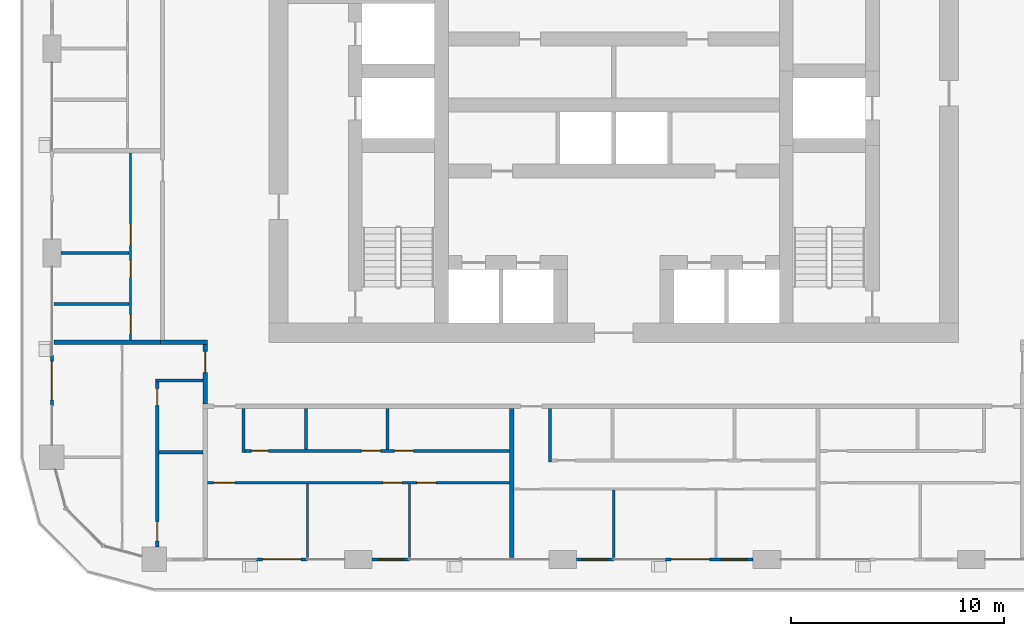
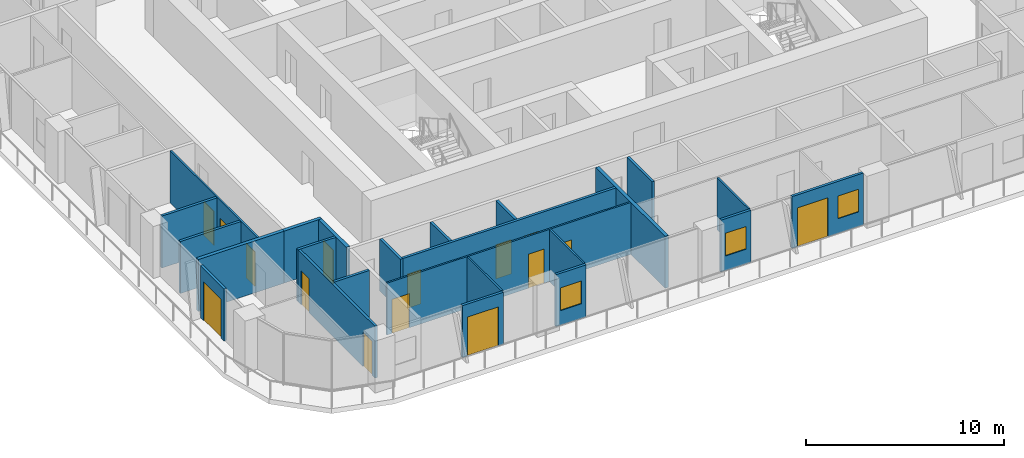
# One storey, part 9 of 21: 24 walls, 15 doors, 3 windows, 18 openings.
"""IFC4 building model written with IfcOpenShell, lengths in metres."""

from ifc_helpers import new_model, si_unit, direction, frame, frame_2d, origin, place, context, subcontext, project, spatial, rectangle, extrude, material, layer, layer_set, type_object, element, fill, save


model = new_model("IFC4")

# Units and contexts
model_context = context("Model", 3, precision=1e-05, world=origin(), true_north=direction((0.0, 1.0)))
body_context = subcontext(model_context, "Body", "Model", "MODEL_VIEW")
ifc_project = project(units=[si_unit("LENGTHUNIT", "METRE"), si_unit("AREAUNIT", "SQUARE_METRE"), si_unit("VOLUMEUNIT", "CUBIC_METRE"), si_unit("PLANEANGLEUNIT", "RADIAN"), si_unit("MASSUNIT", "GRAM", prefix="KILO")], contexts=[model_context])

# Site, building, storey
site_placement = place(None, origin())
site = spatial("IfcSite", under=ifc_project, at=site_placement, CompositionType="ELEMENT")
building_placement = place(site_placement, origin())
building = spatial("IfcBuilding", under=site, at=building_placement, Name="Madar Terraces", CompositionType="ELEMENT")
storey_placement = place(building_placement, frame((0.0, 0.0, 106.699951171875)))
storey = spatial("IfcBuildingStorey", under=building, at=storey_placement, Name="L27", CompositionType="ELEMENT", Elevation=106.699951171875)

# Wall, opening, door
ifc_material_1 = material(Name="Aluminium composite panel, black, over insulated backing", Category="aluminium")
ifc_layer_1 = layer(ifc_material_1, 0.14990234375)
ifc_layer_set_1 = layer_set([ifc_layer_1], Name="Facade bay panel 150")
wall_type_1 = type_object("IfcWallType", Name="Facade bay panel 150", PredefinedType="SOLIDWALL", material=ifc_layer_set_1)
wall_1_placement = place(storey_placement, frame((14.39990234375, 4.800048828125, 0.0), z_axis=(0.0, 0.0, 1.0), x_axis=(1.0, 0.0, 0.0)))
wall_1 = element("IfcWall", 1, at=wall_1_placement, inside=storey, type_object=wall_type_1, Name="Facade bay panel", PredefinedType="SOLIDWALL", context=body_context, shape_type="SweptSolid", body=[
    extrude(rectangle(XDim=2.400146484375, YDim=0.14990234375, at=frame_2d((1.2001953125, 0.0))), origin(), (0.0, 0.0, 1.0), 3.199951171875),
])
opening_1_placement = place(wall_1_placement, frame((0.300048828125, 0.0, 0.0)))
opening_1 = element("IfcOpeningElement", 2, at=opening_1_placement, cuts=wall_1, Name="Opening ED1", PredefinedType="OPENING", context=body_context, shape_type="SweptSolid", body=[
    extrude(rectangle(XDim=1.800048828125, YDim=2.39990234375, at=frame_2d((0.89990234375, 1.199951171875))), frame((0.0, 0.0849609375, 0.0), z_axis=(0.0, -1.0, 0.0), x_axis=(1.0, 0.0, 0.0)), (0.0, 0.0, 1.0), 0.169921875),
])
ifc_material_2 = material(Name="Glass, clear, with black aluminium frame", Category="aluminium")
door_type_1 = type_object("IfcDoorType", Name="Balcony and terrace sliding door 1800 x 2400", OperationType="SLIDING_TO_LEFT", PredefinedType="DOOR", material=ifc_material_2)
door_1_placement = place(opening_1_placement, origin())
door_1 = element("IfcDoor", 3, at=door_1_placement, inside=storey, type_object=door_type_1, Name="Balcony door", OperationType="SLIDING_TO_LEFT", OverallHeight=2.39990234375, OverallWidth=1.800048828125, PredefinedType="DOOR", context=body_context, shape_type="SweptSolid", body=[
    extrude(rectangle(XDim=1.800048828125, YDim=2.39990234375, at=frame_2d((0.89990234375, 1.199951171875))), frame((0.0, 0.02490234375, 0.0), z_axis=(0.0, -1.0, 0.0), x_axis=(1.0, 0.0, 0.0)), (0.0, 0.0, 1.0), 0.050048828125),
])
fill(opening_1, door_1)

# Wall, opening, window
wall_2_placement = place(storey_placement, frame((19.85009765625, 4.800048828125, 0.0), z_axis=(0.0, 0.0, 1.0), x_axis=(1.0, 0.0, 0.0)))
wall_2 = element("IfcWall", 4, at=wall_2_placement, inside=storey, type_object=wall_type_1, Name="Facade bay panel", PredefinedType="SOLIDWALL", context=body_context, shape_type="SweptSolid", body=[
    extrude(rectangle(XDim=1.75, YDim=0.14990234375, at=frame_2d((0.875, 0.0))), origin(), (0.0, 0.0, 1.0), 3.199951171875),
])
opening_2_placement = place(wall_2_placement, frame((0.27490234375, 0.0, 0.89990234375)))
opening_2 = element("IfcOpeningElement", 5, at=opening_2_placement, cuts=wall_2, Name="Opening W1", PredefinedType="OPENING", context=body_context, shape_type="SweptSolid", body=[
    extrude(rectangle(XDim=1.199951171875, YDim=1.39990234375, at=frame_2d((0.60009765625, 0.699951171875))), frame((0.0, 0.0849609375, 0.0), z_axis=(0.0, -1.0, 0.0), x_axis=(1.0, 0.0, 0.0)), (0.0, 0.0, 1.0), 0.169921875),
])
ifc_material_3 = material(Name="Glass, clear, with black aluminium frame", Category="aluminium")
window_type = type_object("IfcWindowType", Name="Vent window 1200 x 1400", PartitioningType="SINGLE_PANEL", PredefinedType="WINDOW", material=ifc_material_3)
window_1_placement = place(opening_2_placement, origin())
window_1 = element("IfcWindow", 6, at=window_1_placement, inside=storey, type_object=window_type, Name="Operable vent window", OverallHeight=1.39990234375, OverallWidth=1.199951171875, PartitioningType="SINGLE_PANEL", PredefinedType="WINDOW", context=body_context, shape_type="SweptSolid", body=[
    extrude(rectangle(XDim=1.199951171875, YDim=1.39990234375, at=frame_2d((0.60009765625, 0.699951171875))), frame((0.0, 0.030029296875, 0.0), z_axis=(0.0, -1.0, 0.0), x_axis=(1.0, 0.0, 0.0)), (0.0, 0.0, 1.0), 0.06005859375),
])
fill(opening_2, window_1)

wall_3_placement = place(storey_placement, frame((29.449951171875, 4.800048828125, 0.0), z_axis=(0.0, 0.0, 1.0), x_axis=(1.0, 0.0, 0.0)))
wall_3 = element("IfcWall", 7, at=wall_3_placement, inside=storey, type_object=wall_type_1, Name="Facade bay panel", PredefinedType="SOLIDWALL", context=body_context, shape_type="SweptSolid", body=[
    extrude(rectangle(XDim=1.75, YDim=0.14990234375, at=frame_2d((0.875, 0.0))), origin(), (0.0, 0.0, 1.0), 3.199951171875),
])
opening_3_placement = place(wall_3_placement, frame((0.27490234375, 0.0, 0.89990234375)))
opening_3 = element("IfcOpeningElement", 8, at=opening_3_placement, cuts=wall_3, Name="Opening W1", PredefinedType="OPENING", context=body_context, shape_type="SweptSolid", body=[
    extrude(rectangle(XDim=1.199951171875, YDim=1.39990234375, at=frame_2d((0.60009765625, 0.699951171875))), frame((0.0, 0.0849609375, 0.0), z_axis=(0.0, -1.0, 0.0), x_axis=(1.0, 0.0, 0.0)), (0.0, 0.0, 1.0), 0.169921875),
])
window_2_placement = place(opening_3_placement, origin())
window_2 = element("IfcWindow", 9, at=window_2_placement, inside=storey, type_object=window_type, Name="Operable vent window", OverallHeight=1.39990234375, OverallWidth=1.199951171875, PartitioningType="SINGLE_PANEL", PredefinedType="WINDOW", context=body_context, shape_type="SweptSolid", body=[
    extrude(rectangle(XDim=1.199951171875, YDim=1.39990234375, at=frame_2d((0.60009765625, 0.699951171875))), frame((0.0, 0.030029296875, 0.0), z_axis=(0.0, -1.0, 0.0), x_axis=(1.0, 0.0, 0.0)), (0.0, 0.0, 1.0), 0.06005859375),
])
fill(opening_3, window_2)

# Wall, openings, door, window
wall_4_placement = place(storey_placement, frame((33.60009765625, 4.800048828125, 0.0), z_axis=(0.0, 0.0, 1.0), x_axis=(1.0, 0.0, 0.0)))
wall_4 = element("IfcWall", 10, at=wall_4_placement, inside=storey, type_object=wall_type_1, Name="Facade bay panel", PredefinedType="SOLIDWALL", context=body_context, shape_type="SweptSolid", body=[
    extrude(rectangle(XDim=4.14990234375, YDim=0.14990234375, at=frame_2d((2.074951171875, 0.0))), origin(), (0.0, 0.0, 1.0), 3.199951171875),
])
opening_4_placement = place(wall_4_placement, frame((0.300048828125, 0.0, 0.0)))
opening_4 = element("IfcOpeningElement", 11, at=opening_4_placement, cuts=wall_4, Name="Opening ED1", PredefinedType="OPENING", context=body_context, shape_type="SweptSolid", body=[
    extrude(rectangle(XDim=1.800048828125, YDim=2.39990234375, at=frame_2d((0.89990234375, 1.199951171875))), frame((0.0, 0.0849609375, 0.0), z_axis=(0.0, -1.0, 0.0), x_axis=(1.0, 0.0, 0.0)), (0.0, 0.0, 1.0), 0.169921875),
])
opening_5_placement = place(wall_4_placement, frame((2.675048828125, 0.0, 0.89990234375)))
opening_5 = element("IfcOpeningElement", 12, at=opening_5_placement, cuts=wall_4, Name="Opening W1", PredefinedType="OPENING", context=body_context, shape_type="SweptSolid", body=[
    extrude(rectangle(XDim=1.199951171875, YDim=1.39990234375, at=frame_2d((0.60009765625, 0.699951171875))), frame((0.0, 0.0849609375, 0.0), z_axis=(0.0, -1.0, 0.0), x_axis=(1.0, 0.0, 0.0)), (0.0, 0.0, 1.0), 0.169921875),
])
door_2_placement = place(opening_4_placement, origin())
door_2 = element("IfcDoor", 13, at=door_2_placement, inside=storey, type_object=door_type_1, Name="Balcony door", OperationType="SLIDING_TO_RIGHT", OverallHeight=2.39990234375, OverallWidth=1.800048828125, PredefinedType="DOOR", context=body_context, shape_type="SweptSolid", body=[
    extrude(rectangle(XDim=1.800048828125, YDim=2.39990234375, at=frame_2d((0.89990234375, 1.199951171875))), frame((0.0, 0.02490234375, 0.0), z_axis=(0.0, -1.0, 0.0), x_axis=(1.0, 0.0, 0.0)), (0.0, 0.0, 1.0), 0.050048828125),
])
fill(opening_4, door_2)
window_3_placement = place(opening_5_placement, origin())
window_3 = element("IfcWindow", 14, at=window_3_placement, inside=storey, type_object=window_type, Name="Operable vent window", OverallHeight=1.39990234375, OverallWidth=1.199951171875, PartitioningType="SINGLE_PANEL", PredefinedType="WINDOW", context=body_context, shape_type="SweptSolid", body=[
    extrude(rectangle(XDim=1.199951171875, YDim=1.39990234375, at=frame_2d((0.60009765625, 0.699951171875))), frame((0.0, 0.030029296875, 0.0), z_axis=(0.0, -1.0, 0.0), x_axis=(1.0, 0.0, 0.0)), (0.0, 0.0, 1.0), 0.06005859375),
])
fill(opening_5, window_3)

# Wall, opening, door
wall_5_placement = place(storey_placement, frame((4.800048828125, 14.39990234375, 0.0), z_axis=(0.0, 0.0, 1.0), x_axis=(0.0, -1.0, 0.0)))
wall_5 = element("IfcWall", 15, at=wall_5_placement, inside=storey, type_object=wall_type_1, Name="Facade bay panel", PredefinedType="SOLIDWALL", context=body_context, shape_type="SweptSolid", body=[
    extrude(rectangle(XDim=2.39990234375, YDim=0.14990234375, at=frame_2d((1.199951171875, 0.0))), origin(), (0.0, 0.0, 1.0), 3.199951171875),
])
opening_6_placement = place(wall_5_placement, frame((0.300048828125, 0.0, 0.0)))
opening_6 = element("IfcOpeningElement", 16, at=opening_6_placement, cuts=wall_5, Name="Opening ED1", PredefinedType="OPENING", context=body_context, shape_type="SweptSolid", body=[
    extrude(rectangle(XDim=1.800048828125, YDim=2.39990234375, at=frame_2d((0.89990234375, 1.199951171875))), frame((0.0, 0.0849609375, 0.0), z_axis=(0.0, -1.0, 0.0), x_axis=(1.0, 0.0, 0.0)), (0.0, 0.0, 1.0), 0.169921875),
])
door_3_placement = place(opening_6_placement, origin())
door_3 = element("IfcDoor", 17, at=door_3_placement, inside=storey, type_object=door_type_1, Name="Balcony door", OperationType="SLIDING_TO_RIGHT", OverallHeight=2.39990234375, OverallWidth=1.800048828125, PredefinedType="DOOR", context=body_context, shape_type="SweptSolid", body=[
    extrude(rectangle(XDim=1.800048828125, YDim=2.39990234375, at=frame_2d((0.89990234375, 1.199951171875))), frame((0.0, 0.02490234375, 0.0), z_axis=(0.0, -1.0, 0.0), x_axis=(1.0, 0.0, 0.0)), (0.0, 0.0, 1.0), 0.050048828125),
])
fill(opening_6, door_3)

# Walls
ifc_material_4 = material(Name="Gypsum board on steel studs", Category="steel")
ifc_layer_2 = layer(ifc_material_4, 0.10009765625)
ifc_layer_set_2 = layer_set([ifc_layer_2], Name="Flat partition 100")
wall_type_2 = type_object("IfcWallType", Name="Flat partition 100", PredefinedType="PARTITIONING", material=ifc_layer_set_2)
for number, where, z_axis, x_axis, name in (
    (18, (16.800048828125, 8.35009765625, 0.0), (0.0, 0.0, 1.0), (0.0, -1.0, 0.0), "Flat partition 100"),
    (19, (21.60009765625, 8.35009765625, 0.0), (0.0, 0.0, 1.0), (0.0, -1.0, 0.0), "Flat partition 100"),
):
    element("IfcWall", number, at=place(storey_placement, frame(where, z_axis=z_axis, x_axis=x_axis)), inside=storey, type_object=wall_type_2, Name=name, PredefinedType="PARTITIONING", context=body_context, shape_type="SweptSolid", body=[
        extrude(rectangle(XDim=3.4501953125, YDim=0.10009765625, at=frame_2d((1.72509765625, 0.0))), origin(), (0.0, 0.0, 1.0), 3.199951171875),
    ])

# Wall, openings, doors
wall_6_placement = place(storey_placement, frame((26.300048828125, 8.39990234375, 0.0), z_axis=(0.0, 0.0, 1.0), x_axis=(-1.0, 0.0, 0.0)))
wall_6 = element("IfcWall", 20, at=wall_6_placement, inside=storey, type_object=wall_type_2, Name="Flat partition 100", PredefinedType="PARTITIONING", context=body_context, shape_type="SweptSolid", body=[
    extrude(rectangle(XDim=14.199951171875, YDim=0.10009765625, at=frame_2d((7.10009765625, 0.0))), origin(), (0.0, 0.0, 1.0), 3.199951171875),
])
opening_7_placement = place(wall_6_placement, frame((12.89990234375, 0.0, 0.0)))
opening_7 = element("IfcOpeningElement", 21, at=opening_7_placement, cuts=wall_6, Name="Opening D3", PredefinedType="OPENING", context=body_context, shape_type="SweptSolid", body=[
    extrude(rectangle(XDim=1.0, YDim=2.10009765625, at=frame_2d((0.5, 1.050048828125))), frame((0.0, 0.06005859375, 0.0), z_axis=(0.0, -1.0, 0.0), x_axis=(1.0, 0.0, 0.0)), (0.0, 0.0, 1.0), 0.1201171875),
])
opening_8_placement = place(wall_6_placement, frame((5.050048828125, 0.0, 0.0)))
opening_8 = element("IfcOpeningElement", 22, at=opening_8_placement, cuts=wall_6, Name="Opening D2", PredefinedType="OPENING", context=body_context, shape_type="SweptSolid", body=[
    extrude(rectangle(XDim=0.89990234375, YDim=2.10009765625, at=frame_2d((0.449951171875, 1.050048828125))), frame((0.0, 0.06005859375, 0.0), z_axis=(0.0, -1.0, 0.0), x_axis=(1.0, 0.0, 0.0)), (0.0, 0.0, 1.0), 0.1201171875),
])
opening_9_placement = place(wall_6_placement, frame((3.449951171875, 0.0, 0.0)))
opening_9 = element("IfcOpeningElement", 23, at=opening_9_placement, cuts=wall_6, Name="Opening D2", PredefinedType="OPENING", context=body_context, shape_type="SweptSolid", body=[
    extrude(rectangle(XDim=0.89990234375, YDim=2.10009765625, at=frame_2d((0.449951171875, 1.050048828125))), frame((0.0, 0.06005859375, 0.0), z_axis=(0.0, -1.0, 0.0), x_axis=(1.0, 0.0, 0.0)), (0.0, 0.0, 1.0), 0.1201171875),
])
ifc_material_5 = material(Name="Timber door leaf", Category="wood")
door_type_2 = type_object("IfcDoorType", Name="Flat living room door 1000", OperationType="NOTDEFINED", PredefinedType="DOOR", material=ifc_material_5)
door_4_placement = place(opening_7_placement, origin())
door_4 = element("IfcDoor", 24, at=door_4_placement, inside=storey, type_object=door_type_2, Name="Flat living room door 1000", OperationType="SINGLE_SWING_RIGHT", OverallHeight=2.10009765625, OverallWidth=1.0, PredefinedType="DOOR", context=body_context, shape_type="SweptSolid", body=[
    extrude(rectangle(XDim=1.0, YDim=2.10009765625, at=frame_2d((0.5, 1.050048828125))), frame((0.0, 0.02490234375, 0.0), z_axis=(0.0, -1.0, 0.0), x_axis=(1.0, 0.0, 0.0)), (0.0, 0.0, 1.0), 0.050048828125),
])
fill(opening_7, door_4)
ifc_material_6 = material(Name="Timber door leaf", Category="wood")
door_type_3 = type_object("IfcDoorType", Name="Flat room door 900", OperationType="NOTDEFINED", PredefinedType="DOOR", material=ifc_material_6)
door_5_placement = place(opening_8_placement, origin())
door_5 = element("IfcDoor", 25, at=door_5_placement, inside=storey, type_object=door_type_3, Name="Flat room door 900", OperationType="SINGLE_SWING_LEFT", OverallHeight=2.10009765625, OverallWidth=0.89990234375, PredefinedType="DOOR", context=body_context, shape_type="SweptSolid", body=[
    extrude(rectangle(XDim=0.89990234375, YDim=2.10009765625, at=frame_2d((0.449951171875, 1.050048828125))), frame((0.0, 0.02490234375, 0.0), z_axis=(0.0, -1.0, 0.0), x_axis=(1.0, 0.0, 0.0)), (0.0, 0.0, 1.0), 0.050048828125),
])
fill(opening_8, door_5)
door_6_placement = place(opening_9_placement, origin())
door_6 = element("IfcDoor", 26, at=door_6_placement, inside=storey, type_object=door_type_3, Name="Flat room door 900", OperationType="SINGLE_SWING_RIGHT", OverallHeight=2.10009765625, OverallWidth=0.89990234375, PredefinedType="DOOR", context=body_context, shape_type="SweptSolid", body=[
    extrude(rectangle(XDim=0.89990234375, YDim=2.10009765625, at=frame_2d((0.449951171875, 1.050048828125))), frame((0.0, 0.02490234375, 0.0), z_axis=(0.0, -1.0, 0.0), x_axis=(1.0, 0.0, 0.0)), (0.0, 0.0, 1.0), 0.050048828125),
])
fill(opening_9, door_6)

# Wall
wall_7_placement = place(storey_placement, frame((31.199951171875, 8.050048828125, 0.0), z_axis=(0.0, 0.0, 1.0), x_axis=(0.0, -1.0, 0.0)))
element("IfcWall", 27, at=wall_7_placement, inside=storey, type_object=wall_type_2, Name="Flat partition 100", PredefinedType="PARTITIONING", context=body_context, shape_type="SweptSolid", body=[
    extrude(rectangle(XDim=3.150146484375, YDim=0.10009765625, at=frame_2d((1.5751953125, 0.0))), origin(), (0.0, 0.0, 1.0), 3.199951171875),
])

# Wall, openings, doors
wall_8_placement = place(storey_placement, frame((8.5, 15.10009765625, 0.0), z_axis=(0.0, 0.0, 1.0), x_axis=(0.0, 1.0, 0.0)))
wall_8 = element("IfcWall", 28, at=wall_8_placement, inside=storey, type_object=wall_type_2, Name="Flat partition 100", PredefinedType="PARTITIONING", context=body_context, shape_type="SweptSolid", body=[
    extrude(rectangle(XDim=8.7998046875, YDim=0.10009765625, at=frame_2d((4.39990234375, 0.0))), origin(), (0.0, 0.0, 1.0), 3.199951171875),
])
opening_10_placement = place(wall_8_placement, frame((4.449951171875, 0.0, 0.0)))
opening_10 = element("IfcOpeningElement", 29, at=opening_10_placement, cuts=wall_8, Name="Opening D3", PredefinedType="OPENING", context=body_context, shape_type="SweptSolid", body=[
    extrude(rectangle(XDim=1.0, YDim=2.10009765625, at=frame_2d((0.5, 1.050048828125))), frame((0.0, 0.06005859375, 0.0), z_axis=(0.0, -1.0, 0.0), x_axis=(1.0, 0.0, 0.0)), (0.0, 0.0, 1.0), 0.1201171875),
])
opening_11_placement = place(wall_8_placement, frame((2.949951171875, 0.0, 0.0)))
opening_11 = element("IfcOpeningElement", 30, at=opening_11_placement, cuts=wall_8, Name="Opening D4", PredefinedType="OPENING", context=body_context, shape_type="SweptSolid", body=[
    extrude(rectangle(XDim=0.800048828125, YDim=2.10009765625, at=frame_2d((0.39990234375, 1.050048828125))), frame((0.0, 0.06005859375, 0.0), z_axis=(0.0, -1.0, 0.0), x_axis=(1.0, 0.0, 0.0)), (0.0, 0.0, 1.0), 0.1201171875),
])
opening_12_placement = place(wall_8_placement, frame((0.300048828125, 0.0, 0.0)))
opening_12 = element("IfcOpeningElement", 31, at=opening_12_placement, cuts=wall_8, Name="Opening D2", PredefinedType="OPENING", context=body_context, shape_type="SweptSolid", body=[
    extrude(rectangle(XDim=0.89990234375, YDim=2.10009765625, at=frame_2d((0.449951171875, 1.050048828125))), frame((0.0, 0.06005859375, 0.0), z_axis=(0.0, -1.0, 0.0), x_axis=(1.0, 0.0, 0.0)), (0.0, 0.0, 1.0), 0.1201171875),
])
ifc_material_7 = material(Name="Timber door leaf", Category="wood")
door_type_4 = type_object("IfcDoorType", Name="Flat bathroom door 800", OperationType="NOTDEFINED", PredefinedType="DOOR", material=ifc_material_7)
door_7_placement = place(opening_11_placement, origin())
door_7 = element("IfcDoor", 32, at=door_7_placement, inside=storey, type_object=door_type_4, Name="Flat bathroom door 800", OperationType="SINGLE_SWING_RIGHT", OverallHeight=2.10009765625, OverallWidth=0.800048828125, PredefinedType="DOOR", context=body_context, shape_type="SweptSolid", body=[
    extrude(rectangle(XDim=0.800048828125, YDim=2.10009765625, at=frame_2d((0.39990234375, 1.050048828125))), frame((0.0, 0.02490234375, 0.0), z_axis=(0.0, -1.0, 0.0), x_axis=(1.0, 0.0, 0.0)), (0.0, 0.0, 1.0), 0.050048828125),
])
fill(opening_11, door_7)
door_8_placement = place(opening_10_placement, origin())
door_8 = element("IfcDoor", 33, at=door_8_placement, inside=storey, type_object=door_type_2, Name="Flat living room door 1000", OperationType="SINGLE_SWING_LEFT", OverallHeight=2.10009765625, OverallWidth=1.0, PredefinedType="DOOR", context=body_context, shape_type="SweptSolid", body=[
    extrude(rectangle(XDim=1.0, YDim=2.10009765625, at=frame_2d((0.5, 1.050048828125))), frame((0.0, 0.02490234375, 0.0), z_axis=(0.0, -1.0, 0.0), x_axis=(1.0, 0.0, 0.0)), (0.0, 0.0, 1.0), 0.050048828125),
])
fill(opening_10, door_8)
door_9_placement = place(opening_12_placement, origin())
door_9 = element("IfcDoor", 34, at=door_9_placement, inside=storey, type_object=door_type_3, Name="Flat room door 900", OperationType="SINGLE_SWING_LEFT", OverallHeight=2.10009765625, OverallWidth=0.89990234375, PredefinedType="DOOR", context=body_context, shape_type="SweptSolid", body=[
    extrude(rectangle(XDim=0.89990234375, YDim=2.10009765625, at=frame_2d((0.449951171875, 1.050048828125))), frame((0.0, 0.02490234375, 0.0), z_axis=(0.0, -1.0, 0.0), x_axis=(1.0, 0.0, 0.0)), (0.0, 0.0, 1.0), 0.050048828125),
])
fill(opening_12, door_9)

# Wall
ifc_material_8 = material(Name="Lightweight blockwork", Category="masonry")
ifc_layer_3 = layer(ifc_material_8, 0.199951171875)
ifc_layer_set_3 = layer_set([ifc_layer_3], Name="Flat party and entrance wall 200")
wall_type_3 = type_object("IfcWallType", Name="Flat party and entrance wall 200", PredefinedType="PARTITIONING", material=ifc_layer_set_3)
wall_9_placement = place(storey_placement, frame((9.89990234375, 15.0, 0.0), z_axis=(0.0, 0.0, 1.0), x_axis=(1.0, 0.0, 0.0)))
element("IfcWall", 35, at=wall_9_placement, inside=storey, type_object=wall_type_3, Name="Flat party and entrance wall 200", PredefinedType="PARTITIONING", context=body_context, shape_type="SweptSolid", body=[
    extrude(rectangle(XDim=2.2001953125, YDim=0.199951171875, at=frame_2d((1.10009765625, 0.0))), origin(), (0.0, 0.0, 1.0), 3.199951171875),
])

# Wall, opening, door
wall_10_placement = place(storey_placement, frame((12.0, 12.10009765625, 0.0), z_axis=(0.0, 0.0, 1.0), x_axis=(0.0, 1.0, 0.0)))
wall_10 = element("IfcWall", 36, at=wall_10_placement, inside=storey, type_object=wall_type_3, Name="Flat party and entrance wall 200", PredefinedType="PARTITIONING", context=body_context, shape_type="SweptSolid", body=[
    extrude(rectangle(XDim=2.7998046875, YDim=0.199951171875, at=frame_2d((1.39990234375, 0.0))), origin(), (0.0, 0.0, 1.0), 3.199951171875),
])
opening_13_placement = place(wall_10_placement, frame((1.47509765625, 0.0, 0.0)))
opening_13 = element("IfcOpeningElement", 37, at=opening_13_placement, cuts=wall_10, Name="Opening D1", PredefinedType="OPENING", context=body_context, shape_type="SweptSolid", body=[
    extrude(rectangle(XDim=1.0, YDim=2.10009765625, at=frame_2d((0.5, 1.050048828125))), frame((0.0, 0.10986328125, 0.0), z_axis=(0.0, -1.0, 0.0), x_axis=(1.0, 0.0, 0.0)), (0.0, 0.0, 1.0), 0.219970703125),
])
ifc_material_9 = material(Name="Timber fire door leaf", Category="wood")
door_type_5 = type_object("IfcDoorType", Name="Flat entrance door 1000 FD30S", OperationType="NOTDEFINED", PredefinedType="DOOR", material=ifc_material_9)
door_10_placement = place(opening_13_placement, origin())
door_10 = element("IfcDoor", 38, at=door_10_placement, inside=storey, type_object=door_type_5, Name="Flat entrance door 1000 FD30S", OperationType="SINGLE_SWING_RIGHT", OverallHeight=2.10009765625, OverallWidth=1.0, PredefinedType="DOOR", context=body_context, shape_type="SweptSolid", body=[
    extrude(rectangle(XDim=1.0, YDim=2.10009765625, at=frame_2d((0.5, 1.050048828125))), frame((0.0, 0.02490234375, 0.0), z_axis=(0.0, -1.0, 0.0), x_axis=(1.0, 0.0, 0.0)), (0.0, 0.0, 1.0), 0.050048828125),
])
fill(opening_13, door_10)

# Walls
wall_11_placement = place(storey_placement, frame((26.39990234375, 11.89990234375, 0.0), z_axis=(0.0, 0.0, 1.0), x_axis=(0.0, -1.0, 0.0)))
element("IfcWall", 39, at=wall_11_placement, inside=storey, type_object=wall_type_3, Name="Flat party and entrance wall 200", PredefinedType="PARTITIONING", context=body_context, shape_type="SweptSolid", body=[
    extrude(rectangle(XDim=7.0, YDim=0.199951171875, at=frame_2d((3.5, 0.0))), origin(), (0.0, 0.0, 1.0), 3.199951171875),
])
wall_12_placement = place(storey_placement, frame((4.89990234375, 15.0, 0.0), z_axis=(0.0, 0.0, 1.0), x_axis=(1.0, 0.0, 0.0)))
element("IfcWall", 40, at=wall_12_placement, inside=storey, type_object=wall_type_3, Name="Flat party and entrance wall 200", PredefinedType="PARTITIONING", context=body_context, shape_type="SweptSolid", body=[
    extrude(rectangle(XDim=5.0, YDim=0.199951171875, at=frame_2d((2.5, 0.0))), origin(), (0.0, 0.0, 1.0), 3.199951171875),
])
ifc_material_10 = material(Name="Lightweight blockwork", Category="masonry")
ifc_layer_4 = layer(ifc_material_10, 0.14990234375)
ifc_layer_set_4 = layer_set([ifc_layer_4], Name="Flat wet-room partition 150")
wall_type_4 = type_object("IfcWallType", Name="Flat wet-room partition 150", PredefinedType="PARTITIONING", material=ifc_layer_set_4)
for number, where, z_axis, x_axis, name in (
    (41, (16.7421875, 11.89990234375, 0.0), (0.0, 0.0, 1.0), (0.0, -1.0, 0.0), "Flat wet-room partition 150"),
    (42, (20.5654296875, 11.89990234375, 0.0), (0.0, 0.0, 1.0), (0.0, -1.0, 0.0), "Flat wet-room partition 150"),
):
    element("IfcWall", number, at=place(storey_placement, frame(where, z_axis=z_axis, x_axis=x_axis)), inside=storey, type_object=wall_type_4, Name=name, PredefinedType="PARTITIONING", context=body_context, shape_type="SweptSolid", body=[
        extrude(rectangle(XDim=1.9248046875, YDim=0.14990234375, at=frame_2d((0.96240234375, 0.0))), origin(), (0.0, 0.0, 1.0), 3.199951171875),
    ])
wall_13_placement = place(storey_placement, frame((13.800048828125, 11.89990234375, 0.0), z_axis=(0.0, 0.0, 1.0), x_axis=(0.0, -1.0, 0.0)))
element("IfcWall", 43, at=wall_13_placement, inside=storey, type_object=wall_type_4, Name="Flat wet-room partition 150", PredefinedType="PARTITIONING", context=body_context, shape_type="SweptSolid", body=[
    extrude(rectangle(XDim=2.074951171875, YDim=0.14990234375, at=frame_2d((1.03759765625, 0.0))), origin(), (0.0, 0.0, 1.0), 3.199951171875),
])

# Wall, openings, doors
wall_14_placement = place(storey_placement, frame((13.875, 9.89990234375, 0.0), z_axis=(0.0, 0.0, 1.0), x_axis=(1.0, 0.0, 0.0)))
wall_14 = element("IfcWall", 44, at=wall_14_placement, inside=storey, type_object=wall_type_4, Name="Flat wet-room partition 150", PredefinedType="PARTITIONING", context=body_context, shape_type="SweptSolid", body=[
    extrude(rectangle(XDim=12.425048828125, YDim=0.14990234375, at=frame_2d((6.21240234375, 0.0))), origin(), (0.0, 0.0, 1.0), 3.199951171875),
])
opening_14_placement = place(wall_14_placement, frame((0.300048828125, 0.0, 0.0)))
opening_14 = element("IfcOpeningElement", 45, at=opening_14_placement, cuts=wall_14, Name="Opening D4", PredefinedType="OPENING", context=body_context, shape_type="SweptSolid", body=[
    extrude(rectangle(XDim=0.800048828125, YDim=2.10009765625, at=frame_2d((0.39990234375, 1.050048828125))), frame((0.0, 0.0849609375, 0.0), z_axis=(0.0, -1.0, 0.0), x_axis=(1.0, 0.0, 0.0)), (0.0, 0.0, 1.0), 0.169921875),
])
opening_15_placement = place(wall_14_placement, frame((5.46533203125, 0.0, 0.0)))
opening_15 = element("IfcOpeningElement", 46, at=opening_15_placement, cuts=wall_14, Name="Opening D5", PredefinedType="OPENING", context=body_context, shape_type="SweptSolid", body=[
    extrude(rectangle(XDim=0.89990234375, YDim=2.10009765625, at=frame_2d((0.449951171875, 1.050048828125))), frame((0.0, 0.0849609375, 0.0), z_axis=(0.0, -1.0, 0.0), x_axis=(1.0, 0.0, 0.0)), (0.0, 0.0, 1.0), 0.169921875),
])
opening_16_placement = place(wall_14_placement, frame((7.015380859375, 0.0, 0.0)))
opening_16 = element("IfcOpeningElement", 47, at=opening_16_placement, cuts=wall_14, Name="Opening D2", PredefinedType="OPENING", context=body_context, shape_type="SweptSolid", body=[
    extrude(rectangle(XDim=0.89990234375, YDim=2.10009765625, at=frame_2d((0.449951171875, 1.050048828125))), frame((0.0, 0.0849609375, 0.0), z_axis=(0.0, -1.0, 0.0), x_axis=(1.0, 0.0, 0.0)), (0.0, 0.0, 1.0), 0.169921875),
])
ifc_material_11 = material(Name="Timber door leaf", Category="wood")
door_type_6 = type_object("IfcDoorType", Name="Flat accessible bathroom door 900", OperationType="NOTDEFINED", PredefinedType="DOOR", material=ifc_material_11)
door_11_placement = place(opening_15_placement, origin())
door_11 = element("IfcDoor", 48, at=door_11_placement, inside=storey, type_object=door_type_6, Name="Flat accessible bathroom door 900", OperationType="SINGLE_SWING_RIGHT", OverallHeight=2.10009765625, OverallWidth=0.89990234375, PredefinedType="DOOR", context=body_context, shape_type="SweptSolid", body=[
    extrude(rectangle(XDim=0.89990234375, YDim=2.10009765625, at=frame_2d((0.449951171875, 1.050048828125))), frame((0.0, 0.02490234375, 0.0), z_axis=(0.0, -1.0, 0.0), x_axis=(1.0, 0.0, 0.0)), (0.0, 0.0, 1.0), 0.050048828125),
])
fill(opening_15, door_11)
door_12_placement = place(opening_14_placement, origin())
door_12 = element("IfcDoor", 49, at=door_12_placement, inside=storey, type_object=door_type_4, Name="Flat bathroom door 800", OperationType="SINGLE_SWING_LEFT", OverallHeight=2.10009765625, OverallWidth=0.800048828125, PredefinedType="DOOR", context=body_context, shape_type="SweptSolid", body=[
    extrude(rectangle(XDim=0.800048828125, YDim=2.10009765625, at=frame_2d((0.39990234375, 1.050048828125))), frame((0.0, 0.02490234375, 0.0), z_axis=(0.0, -1.0, 0.0), x_axis=(1.0, 0.0, 0.0)), (0.0, 0.0, 1.0), 0.050048828125),
])
fill(opening_14, door_12)
door_13_placement = place(opening_16_placement, origin())
door_13 = element("IfcDoor", 50, at=door_13_placement, inside=storey, type_object=door_type_3, Name="Flat room door 900", OperationType="SINGLE_SWING_LEFT", OverallHeight=2.10009765625, OverallWidth=0.89990234375, PredefinedType="DOOR", context=body_context, shape_type="SweptSolid", body=[
    extrude(rectangle(XDim=0.89990234375, YDim=2.10009765625, at=frame_2d((0.449951171875, 1.050048828125))), frame((0.0, 0.02490234375, 0.0), z_axis=(0.0, -1.0, 0.0), x_axis=(1.0, 0.0, 0.0)), (0.0, 0.0, 1.0), 0.050048828125),
])
fill(opening_16, door_13)

# Walls
wall_15_placement = place(storey_placement, frame((28.199951171875, 11.89990234375, 0.0), z_axis=(0.0, 0.0, 1.0), x_axis=(0.0, -1.0, 0.0)))
element("IfcWall", 51, at=wall_15_placement, inside=storey, type_object=wall_type_4, Name="Flat wet-room partition 150", PredefinedType="PARTITIONING", context=body_context, shape_type="SweptSolid", body=[
    extrude(rectangle(XDim=2.52490234375, YDim=0.14990234375, at=frame_2d((1.262451171875, 0.0))), origin(), (0.0, 0.0, 1.0), 3.199951171875),
])
wall_16_placement = place(storey_placement, frame((8.425048828125, 19.199951171875, 0.0), z_axis=(0.0, 0.0, 1.0), x_axis=(-1.0, 0.0, 0.0)))
element("IfcWall", 52, at=wall_16_placement, inside=storey, type_object=wall_type_4, Name="Flat wet-room partition 150", PredefinedType="PARTITIONING", context=body_context, shape_type="SweptSolid", body=[
    extrude(rectangle(XDim=3.199951171875, YDim=0.14990234375, at=frame_2d((1.60009765625, 0.0))), origin(), (0.0, 0.0, 1.0), 3.199951171875),
])
wall_17_placement = place(storey_placement, frame((8.425048828125, 16.800048828125, 0.0), z_axis=(0.0, 0.0, 1.0), x_axis=(-1.0, 0.0, 0.0)))
element("IfcWall", 53, at=wall_17_placement, inside=storey, type_object=wall_type_4, Name="Flat wet-room partition 150", PredefinedType="PARTITIONING", context=body_context, shape_type="SweptSolid", body=[
    extrude(rectangle(XDim=3.525146484375, YDim=0.14990234375, at=frame_2d((1.7626953125, 0.0))), origin(), (0.0, 0.0, 1.0), 3.199951171875),
])
wall_18_placement = place(storey_placement, frame((11.89990234375, 9.8349609375, 0.0), z_axis=(0.0, 0.0, 1.0), x_axis=(-1.0, 0.0, 0.0)))
element("IfcWall", 54, at=wall_18_placement, inside=storey, type_object=wall_type_4, Name="Flat wet-room partition 150", PredefinedType="PARTITIONING", context=body_context, shape_type="SweptSolid", body=[
    extrude(rectangle(XDim=2.074951171875, YDim=0.14990234375, at=frame_2d((1.03759765625, 0.0))), origin(), (0.0, 0.0, 1.0), 3.199951171875),
])
wall_19_placement = place(storey_placement, frame((11.89990234375, 13.199951171875, 0.0), z_axis=(0.0, 0.0, 1.0), x_axis=(-1.0, 0.0, 0.0)))
element("IfcWall", 55, at=wall_19_placement, inside=storey, type_object=wall_type_4, Name="Flat wet-room partition 150", PredefinedType="PARTITIONING", context=body_context, shape_type="SweptSolid", body=[
    extrude(rectangle(XDim=2.224853515625, YDim=0.14990234375, at=frame_2d((1.1123046875, 0.0))), origin(), (0.0, 0.0, 1.0), 3.199951171875),
])

# Wall, openings, doors
wall_20_placement = place(storey_placement, frame((9.75, 13.125, 0.0), z_axis=(0.0, 0.0, 1.0), x_axis=(0.0, -1.0, 0.0)))
wall_20 = element("IfcWall", 56, at=wall_20_placement, inside=storey, type_object=wall_type_4, Name="Flat wet-room partition 150", PredefinedType="PARTITIONING", context=body_context, shape_type="SweptSolid", body=[
    extrude(rectangle(XDim=7.75, YDim=0.14990234375, at=frame_2d((3.875, 0.0))), origin(), (0.0, 0.0, 1.0), 3.199951171875),
])
opening_17_placement = place(wall_20_placement, frame((0.300048828125, 0.0, 0.0)))
opening_17 = element("IfcOpeningElement", 57, at=opening_17_placement, cuts=wall_20, Name="Opening D4", PredefinedType="OPENING", context=body_context, shape_type="SweptSolid", body=[
    extrude(rectangle(XDim=0.800048828125, YDim=2.10009765625, at=frame_2d((0.39990234375, 1.050048828125))), frame((0.0, 0.0849609375, 0.0), z_axis=(0.0, -1.0, 0.0), x_axis=(1.0, 0.0, 0.0)), (0.0, 0.0, 1.0), 0.169921875),
])
opening_18_placement = place(wall_20_placement, frame((6.550048828125, 0.0, 0.0)))
opening_18 = element("IfcOpeningElement", 58, at=opening_18_placement, cuts=wall_20, Name="Opening D2", PredefinedType="OPENING", context=body_context, shape_type="SweptSolid", body=[
    extrude(rectangle(XDim=0.89990234375, YDim=2.10009765625, at=frame_2d((0.449951171875, 1.050048828125))), frame((0.0, 0.0849609375, 0.0), z_axis=(0.0, -1.0, 0.0), x_axis=(1.0, 0.0, 0.0)), (0.0, 0.0, 1.0), 0.169921875),
])
door_14_placement = place(opening_17_placement, origin())
door_14 = element("IfcDoor", 59, at=door_14_placement, inside=storey, type_object=door_type_4, Name="Flat bathroom door 800", OperationType="SINGLE_SWING_LEFT", OverallHeight=2.10009765625, OverallWidth=0.800048828125, PredefinedType="DOOR", context=body_context, shape_type="SweptSolid", body=[
    extrude(rectangle(XDim=0.800048828125, YDim=2.10009765625, at=frame_2d((0.39990234375, 1.050048828125))), frame((0.0, 0.02490234375, 0.0), z_axis=(0.0, -1.0, 0.0), x_axis=(1.0, 0.0, 0.0)), (0.0, 0.0, 1.0), 0.050048828125),
])
fill(opening_17, door_14)
door_15_placement = place(opening_18_placement, origin())
door_15 = element("IfcDoor", 60, at=door_15_placement, inside=storey, type_object=door_type_3, Name="Flat room door 900", OperationType="SINGLE_SWING_RIGHT", OverallHeight=2.10009765625, OverallWidth=0.89990234375, PredefinedType="DOOR", context=body_context, shape_type="SweptSolid", body=[
    extrude(rectangle(XDim=0.89990234375, YDim=2.10009765625, at=frame_2d((0.449951171875, 1.050048828125))), frame((0.0, 0.02490234375, 0.0), z_axis=(0.0, -1.0, 0.0), x_axis=(1.0, 0.0, 0.0)), (0.0, 0.0, 1.0), 0.050048828125),
])
fill(opening_18, door_15)

save(model, "model.ifc")
